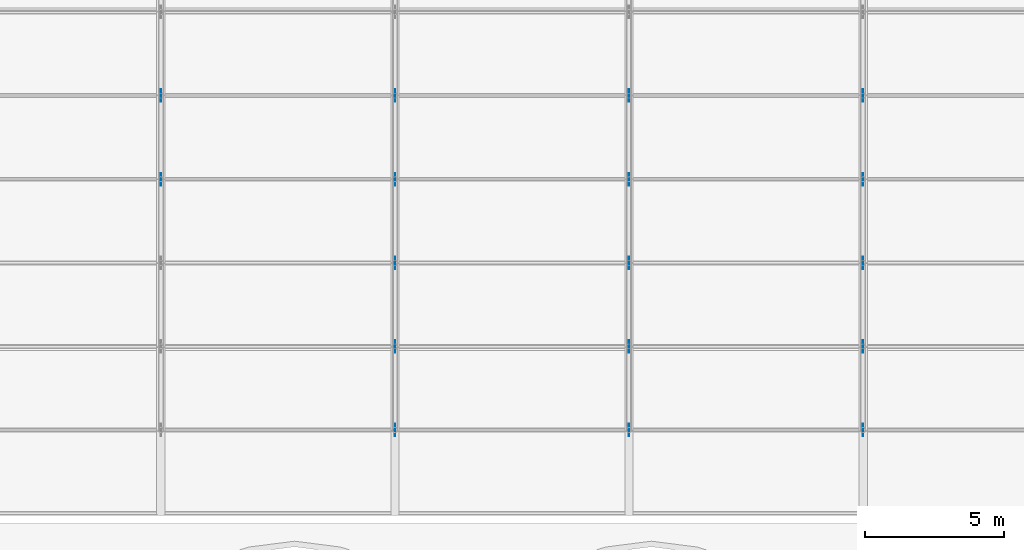
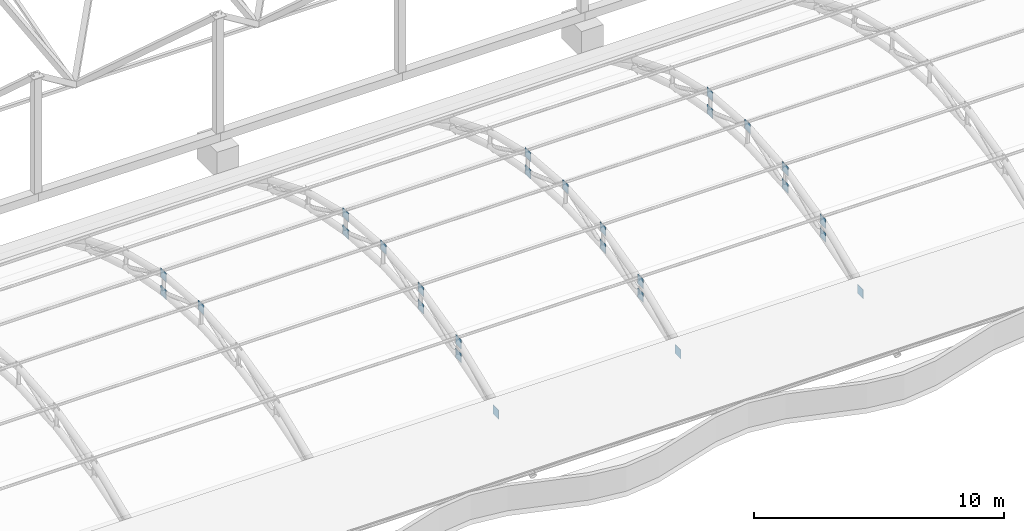
# One storey, part 121 of 163: 27 discrete accessories.
"""IFC4 building model written with IfcOpenShell, lengths in metres."""

from ifc_helpers import new_model, si_unit, direction, frame, origin, origin_2d, place, context, subcontext, project, spatial, rectangle, extrude, material, layer, layer_set, type_object, element, save


model = new_model("IFC4")

# Units and contexts
model_context = context("Model", 3, precision=1e-05, world=origin(), true_north=direction((0.0, 1.0)))
body_context = subcontext(model_context, "Body", "Model", "MODEL_VIEW")
ifc_project = project(units=[si_unit("LENGTHUNIT", "METRE"), si_unit("AREAUNIT", "SQUARE_METRE"), si_unit("VOLUMEUNIT", "CUBIC_METRE"), si_unit("PLANEANGLEUNIT", "RADIAN"), si_unit("MASSUNIT", "GRAM", prefix="KILO")], contexts=[model_context])

# Site, building, storey
site_placement = place(None, origin())
site = spatial("IfcSite", under=ifc_project, at=site_placement, CompositionType="ELEMENT")
building_placement = place(site_placement, origin())
building = spatial("IfcBuilding", under=site, at=building_placement, Name="Rain Tree Exposition and Congress Centre", CompositionType="ELEMENT")
storey_placement = place(building_placement, frame((0.0, 0.0, 10.5)))
storey = spatial("IfcBuildingStorey", under=building, at=storey_placement, Name="L02", CompositionType="ELEMENT", Elevation=10.5)

# Discrete accessories
ifc_material = material(Name="Steel plate S355J2", Category="steel")
ifc_layer = layer(ifc_material, 0.02001953125)
ifc_layer_set = layer_set([ifc_layer], Name="Steel plate S355J2")
discrete_accessory_type = type_object("IfcDiscreteAccessoryType", Name="Brace node plate 450x450x20", PredefinedType="BRACKET", material=ifc_layer_set)
for number, where, z_axis, x_axis, name in (
    (1, (33.60009765625, 87.60009765625, 3.80517578125), (0.0, 0.0, 1.0), (0.0, 1.0, 0.0), "Brace node plate 450"),
    (2, (33.60009765625, 90.60009765625, 2.71728515625), (0.0, 0.0, 1.0), (0.0, -1.0, 0.0), "Brace node plate 450"),
    (3, (33.60009765625, 90.60009765625, 3.5615234375), (0.0, 0.0, 1.0), (0.0, 1.0, 0.0), "Brace node plate 450"),
    (4, (42.0, 78.60009765625, 1.21728515625), (0.0, 0.0, 1.0), (0.0, 1.0, 0.0), "Brace node plate 450"),
    (5, (42.0, 81.60009765625, 2.830078125), (0.0, 0.0, 1.0), (0.0, -1.0, 0.0), "Brace node plate 450"),
    (6, (42.0, 81.60009765625, 2.15478515625), (0.0, 0.0, 1.0), (0.0, 1.0, 0.0), "Brace node plate 450"),
    (7, (42.0, 84.60009765625, 3.5615234375), (0.0, 0.0, 1.0), (0.0, -1.0, 0.0), "Brace node plate 450"),
    (8, (42.0, 84.60009765625, 2.71728515625), (0.0, 0.0, 1.0), (0.0, 1.0, 0.0), "Brace node plate 450"),
    (9, (42.0, 87.60009765625, 3.80517578125), (0.0, 0.0, 1.0), (0.0, 1.0, 0.0), "Brace node plate 450"),
    (10, (42.0, 90.60009765625, 2.71728515625), (0.0, 0.0, 1.0), (0.0, -1.0, 0.0), "Brace node plate 450"),
    (11, (42.0, 90.60009765625, 3.5615234375), (0.0, 0.0, 1.0), (0.0, 1.0, 0.0), "Brace node plate 450"),
    (12, (50.39990234375, 78.60009765625, 1.21728515625), (0.0, 0.0, 1.0), (0.0, 1.0, 0.0), "Brace node plate 450"),
    (13, (50.39990234375, 81.60009765625, 2.830078125), (0.0, 0.0, 1.0), (0.0, -1.0, 0.0), "Brace node plate 450"),
    (14, (50.39990234375, 81.60009765625, 2.15478515625), (0.0, 0.0, 1.0), (0.0, 1.0, 0.0), "Brace node plate 450"),
    (15, (50.39990234375, 84.60009765625, 3.5615234375), (0.0, 0.0, 1.0), (0.0, -1.0, 0.0), "Brace node plate 450"),
    (16, (50.39990234375, 84.60009765625, 2.71728515625), (0.0, 0.0, 1.0), (0.0, 1.0, 0.0), "Brace node plate 450"),
    (17, (50.39990234375, 87.60009765625, 3.80517578125), (0.0, 0.0, 1.0), (0.0, 1.0, 0.0), "Brace node plate 450"),
    (18, (50.39990234375, 90.60009765625, 2.71728515625), (0.0, 0.0, 1.0), (0.0, -1.0, 0.0), "Brace node plate 450"),
    (19, (50.39990234375, 90.60009765625, 3.5615234375), (0.0, 0.0, 1.0), (0.0, 1.0, 0.0), "Brace node plate 450"),
    (20, (58.800048828125, 78.60009765625, 1.21728515625), (0.0, 0.0, 1.0), (0.0, 1.0, 0.0), "Brace node plate 450"),
    (21, (58.800048828125, 81.60009765625, 2.830078125), (0.0, 0.0, 1.0), (0.0, -1.0, 0.0), "Brace node plate 450"),
    (22, (58.800048828125, 81.60009765625, 2.15478515625), (0.0, 0.0, 1.0), (0.0, 1.0, 0.0), "Brace node plate 450"),
    (23, (58.800048828125, 84.60009765625, 3.5615234375), (0.0, 0.0, 1.0), (0.0, -1.0, 0.0), "Brace node plate 450"),
    (24, (58.800048828125, 84.60009765625, 2.71728515625), (0.0, 0.0, 1.0), (0.0, 1.0, 0.0), "Brace node plate 450"),
    (25, (58.800048828125, 87.60009765625, 3.80517578125), (0.0, 0.0, 1.0), (0.0, 1.0, 0.0), "Brace node plate 450"),
    (26, (58.800048828125, 90.60009765625, 2.71728515625), (0.0, 0.0, 1.0), (0.0, -1.0, 0.0), "Brace node plate 450"),
    (27, (58.800048828125, 90.60009765625, 3.5615234375), (0.0, 0.0, 1.0), (0.0, 1.0, 0.0), "Brace node plate 450"),
):
    element("IfcDiscreteAccessory", number, at=place(storey_placement, frame(where, z_axis=z_axis, x_axis=x_axis)), inside=storey, type_object=discrete_accessory_type, Name=name, PredefinedType="BRACKET", context=body_context, shape_type="SweptSolid", body=[
        extrude(rectangle(XDim=0.449951171875, YDim=0.02001953125, at=origin_2d()), origin(), (0.0, 0.0, 1.0), 0.449951171875),
    ])

save(model, "model.ifc")
